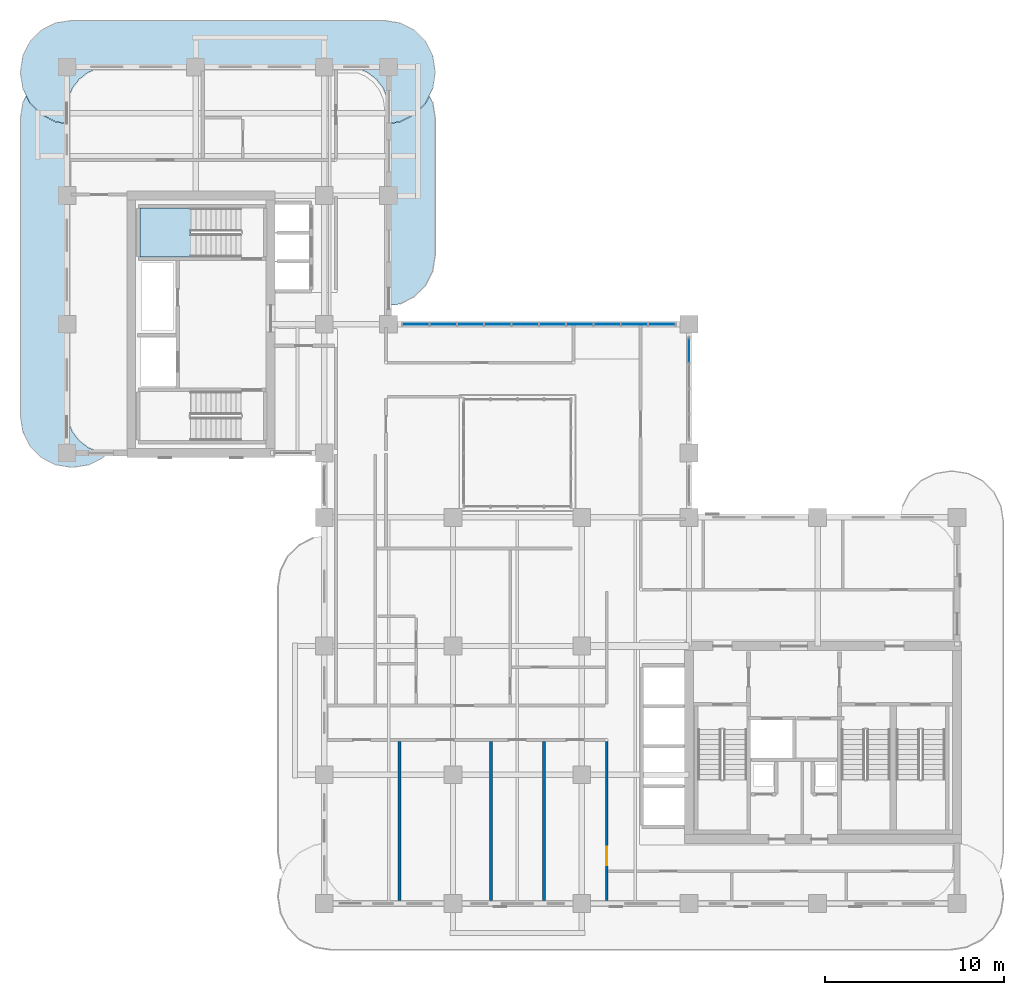
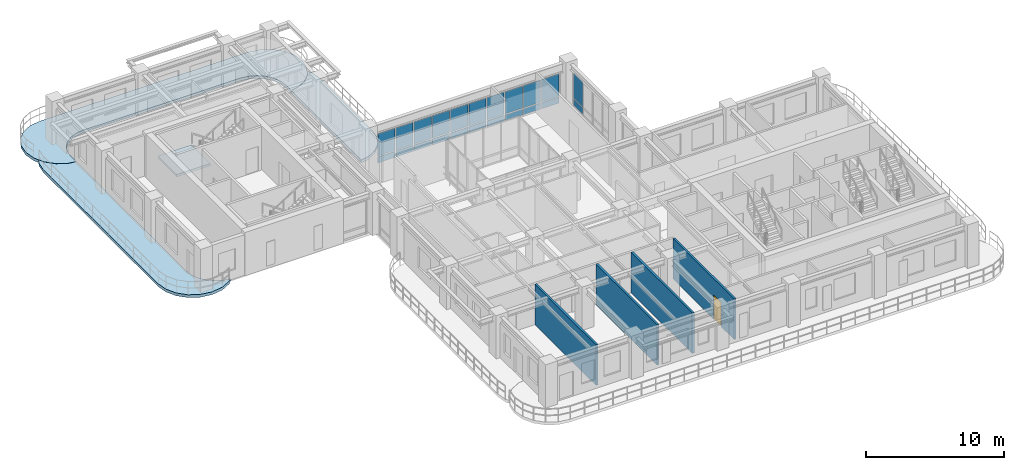
# One storey, part 10 of 20: 22 plates, 4 slabs, 4 walls, 1 door, 1 opening, 3 elements without a shape of their own.
"""IFC4 building model written with IfcOpenShell, lengths in metres."""

from ifc_helpers import new_model, si_unit, derived_unit, direction, frame, frame_2d, origin, origin_2d, place, context, subcontext, project, spatial, polyline, rectangle, outline, extrude, source, transform, mapped, material, layer, layer_set, type_object, type_shapes, element, fill, aggregate, save


model = new_model("IFC4")

# Units and contexts
model_context = context("Model", 3, precision=1e-05, world=origin(), true_north=direction((0.0, 1.0)))
body_context = subcontext(model_context, "Body", "Model", "MODEL_VIEW")
ifc_project = project(units=[si_unit("LENGTHUNIT", "METRE"), si_unit("AREAUNIT", "SQUARE_METRE"), si_unit("VOLUMEUNIT", "CUBIC_METRE"), si_unit("PLANEANGLEUNIT", "RADIAN"), si_unit("MASSUNIT", "GRAM", prefix="KILO"), si_unit("THERMODYNAMICTEMPERATUREUNIT", "KELVIN"), si_unit("POWERUNIT", "WATT"), derived_unit("THERMALTRANSMITTANCEUNIT", [(si_unit("POWERUNIT", "WATT"), 1), (si_unit("AREAUNIT", "SQUARE_METRE"), -1), (si_unit("THERMODYNAMICTEMPERATUREUNIT", "KELVIN"), -1)])], contexts=[model_context])

# Site, building, storey
site_placement = place(None, origin())
site = spatial("IfcSite", under=ifc_project, at=site_placement, CompositionType="ELEMENT")
building_placement = place(site_placement, origin())
building = spatial("IfcBuilding", under=site, at=building_placement, Name="Zahravan Archway Hotel and Residences", CompositionType="ELEMENT")
storey_placement = place(building_placement, frame((0.0, 0.0, 161.85009765625)))
storey = spatial("IfcBuildingStorey", under=building, at=storey_placement, Name="L40", CompositionType="ELEMENT", Elevation=161.85009765625)

# Slabs
ifc_material_1 = material(Name="Concrete C45/55", Category="concrete")
ifc_layer_1 = layer(ifc_material_1, 0.25, Name="Concrete C45/55", Category="concrete")
ifc_layer_set_1 = layer_set([ifc_layer_1], Name="Concrete C45/55")
slab_type_1 = type_object("IfcSlabType", Name="SLB-BALC-250", PredefinedType="FLOOR", material=ifc_layer_set_1)
slab_1_placement = place(storey_placement, frame((0.0, 0.0, -0.25)))
element("IfcSlab", 1, at=slab_1_placement, inside=storey, type_object=slab_type_1, Name="L40 Wing B North Rounded Balcony Band", PredefinedType="FLOOR", context=body_context, shape_type="SweptSolid", body=[
    extrude(outline(polyline([(-0.630615234375, 43.739501953125), (-1.42529296875, 44.144287109375), (-2.0556640625, 44.77490234375), (-2.46044921875, 45.5693359375), (-2.60009765625, 46.449951171875), (-2.60009765625, 46.550048828125), (-2.46044921875, 47.4306640625), (-2.0556640625, 48.22509765625), (-1.42529296875, 48.855712890625), (-0.630615234375, 49.260498046875), (0.25, 49.39990234375), (17.75, 49.39990234375), (18.630615234375, 49.260498046875), (19.42529296875, 48.855712890625), (20.0556640625, 48.22509765625), (20.46044921875, 47.4306640625), (20.60009765625, 46.550048828125), (20.60009765625, 46.449951171875), (20.46044921875, 45.5693359375), (20.0556640625, 44.77490234375), (19.42529296875, 44.144287109375), (18.630615234375, 43.739501953125), (18.02001953125, 43.642822265625), (18.02001953125, 44.39990234375), (18.019775390625, 44.402587890625), (17.93798828125, 45.023681640625), (17.937744140625, 45.025390625), (17.937255859375, 45.027099609375), (17.936767578125, 45.02880859375), (17.697021484375, 45.607666015625), (17.6962890625, 45.609130859375), (17.6953125, 45.610595703125), (17.6943359375, 45.6123046875), (17.31298828125, 46.109375), (17.311767578125, 46.110595703125), (17.310546875, 46.11181640625), (17.309326171875, 46.113037109375), (16.812255859375, 46.494384765625), (16.810791015625, 46.495361328125), (16.80908203125, 46.49609375), (16.8076171875, 46.4970703125), (16.22900390625, 46.73681640625), (16.227294921875, 46.7373046875), (16.2255859375, 46.73779296875), (16.223876953125, 46.738037109375), (15.6025390625, 46.81982421875), (15.60009765625, 46.820068359375), (2.39990234375, 46.820068359375), (2.3974609375, 46.81982421875), (1.776123046875, 46.738037109375), (1.7744140625, 46.73779296875), (1.772705078125, 46.7373046875), (1.77099609375, 46.73681640625), (1.1923828125, 46.4970703125), (1.19091796875, 46.49609375), (1.189208984375, 46.495361328125), (1.187744140625, 46.494384765625), (0.690673828125, 46.113037109375), (0.689453125, 46.11181640625), (0.688232421875, 46.110595703125), (0.68701171875, 46.109375), (0.3056640625, 45.6123046875), (0.3046875, 45.610595703125), (0.3037109375, 45.609130859375), (0.302978515625, 45.607666015625), (0.063232421875, 45.02880859375), (0.062744140625, 45.027099609375), (0.062255859375, 45.025390625), (0.06201171875, 45.023681640625), (-0.019775390625, 44.402587890625), (-0.02001953125, 44.39990234375), (-0.02001953125, 43.642822265625), (-0.630615234375, 43.739501953125)])), origin(), (0.0, 0.0, 1.0), 0.25),
])
slab_2_placement = place(storey_placement, frame((0.0, 0.0, -0.25)))
element("IfcSlab", 2, at=slab_2_placement, inside=storey, type_object=slab_type_1, Name="L40 Wing B West Rounded Balcony Band", PredefinedType="FLOOR", context=body_context, shape_type="SweptSolid", body=[
    extrude(outline(polyline([(2.025146484375, 24.9443359375), (1.230712890625, 24.53955078125), (0.35009765625, 24.39990234375), (0.25, 24.39990234375), (-0.630615234375, 24.53955078125), (-1.42529296875, 24.9443359375), (-2.0556640625, 25.57470703125), (-2.46044921875, 26.369384765625), (-2.60009765625, 27.25), (-2.60009765625, 43.949951171875), (-2.46044921875, 44.830810546875), (-2.28369140625, 45.177978515625), (-2.073486328125, 44.765625), (-2.072509765625, 44.763916015625), (-2.0712890625, 44.76220703125), (-2.06982421875, 44.7607421875), (-1.439208984375, 44.130126953125), (-1.437744140625, 44.12890625), (-1.43603515625, 44.12744140625), (-1.434326171875, 44.12646484375), (-0.639892578125, 43.7216796875), (-0.637939453125, 43.720703125), (-0.635986328125, 43.72021484375), (-0.6337890625, 43.7197265625), (-0.023193359375, 43.623046875), (-0.021240234375, 43.622802734375), (-0.02001953125, 43.622802734375), (-0.02001953125, 27.60009765625), (-0.019775390625, 27.597412109375), (0.06201171875, 26.976318359375), (0.062255859375, 26.974609375), (0.062744140625, 26.972900390625), (0.063232421875, 26.97119140625), (0.302978515625, 26.392333984375), (0.3037109375, 26.390869140625), (0.3046875, 26.389404296875), (0.3056640625, 26.3876953125), (0.68701171875, 25.890625), (0.688232421875, 25.889404296875), (0.689453125, 25.88818359375), (0.690673828125, 25.886962890625), (1.187744140625, 25.505615234375), (1.189208984375, 25.504638671875), (1.19091796875, 25.50390625), (1.1923828125, 25.5029296875), (1.77099609375, 25.26318359375), (1.772705078125, 25.2626953125), (1.7744140625, 25.26220703125), (1.776123046875, 25.261962890625), (2.27685546875, 25.196044921875), (2.025146484375, 24.9443359375)])), origin(), (0.0, 0.0, 1.0), 0.25),
])
slab_3_placement = place(storey_placement, frame((0.0, 0.0, -0.25)))
element("IfcSlab", 3, at=slab_3_placement, inside=storey, type_object=slab_type_1, Name="L40 Wing B East Rounded Balcony Band", PredefinedType="FLOOR", context=body_context, shape_type="SweptSolid", body=[
    extrude(outline(polyline([(20.46044921875, 44.830810546875), (20.60009765625, 43.949951171875), (20.60009765625, 36.25), (20.46044921875, 35.369384765625), (20.0556640625, 34.57470703125), (19.42529296875, 33.9443359375), (18.630615234375, 33.53955078125), (18.02001953125, 33.44287109375), (18.02001953125, 43.622802734375), (18.021240234375, 43.622802734375), (18.023193359375, 43.623046875), (18.6337890625, 43.7197265625), (18.635986328125, 43.72021484375), (18.637939453125, 43.720703125), (18.639892578125, 43.7216796875), (19.434326171875, 44.12646484375), (19.43603515625, 44.12744140625), (19.437744140625, 44.12890625), (19.439208984375, 44.130126953125), (20.06982421875, 44.7607421875), (20.0712890625, 44.76220703125), (20.072509765625, 44.763916015625), (20.073486328125, 44.765625), (20.28369140625, 45.177978515625), (20.46044921875, 44.830810546875)])), origin(), (0.0, 0.0, 1.0), 0.25),
])

# Stair, slab
ifc_material_2 = material(Name="Concrete C50/60", Category="concrete")
stair_type = type_object("IfcStairType", Name="STR-CORE-1300", PredefinedType="HALF_TURN_STAIR", material=ifc_material_2)
stair_placement = place(storey_placement, origin())
stair = element("IfcStair", 4, at=stair_placement, inside=storey, type_object=stair_type, Name="L40 Core B Exit Stair 2", PredefinedType="HALF_TURN_STAIR")
ifc_layer_2 = layer(ifc_material_2, 0.199951171875, Name="Concrete C50/60", Category="concrete")
ifc_layer_set_2 = layer_set([ifc_layer_2], Name="Concrete C50/60")
slab_type_2 = type_object("IfcSlabType", Name="SLB-LND-200", PredefinedType="LANDING", material=ifc_layer_set_2)
slab_4_placement = place(storey_placement, frame((0.0, 0.0, 1.724853515625)))
slab_4 = element("IfcSlab", 5, at=slab_4_placement, type_object=slab_type_2, Name="ST-B2 landing 1", PredefinedType="LANDING", context=body_context, shape_type="SweptSolid", body=[
    extrude(outline(polyline([(6.929931640625, 38.89990234375), (4.10009765625, 38.89990234375), (4.10009765625, 36.159912109375), (6.929931640625, 36.159912109375), (6.929931640625, 38.89990234375)])), origin(), (0.0, 0.0, 1.0), 0.199951171875),
])
aggregate(stair, [slab_4])

# Curtain wall, plates
ifc_material_3 = material(Name="Bronze-Anodized Unitised Aluminium & Low-E Glass", Category="aluminium")
ifc_layer_3 = layer(ifc_material_3, 0.179931640625, Name="Bronze-Anodized Unitised Aluminium & Low-E Glass", Category="aluminium")
ifc_layer_set_3 = layer_set([ifc_layer_3], Name="Bronze-Anodized Unitised Aluminium & Low-E Glass")
curtain_wall_type = type_object("IfcCurtainWallType", Name="CW-TWR-FEAT", PredefinedType="NOTDEFINED", material=ifc_layer_set_3)
curtain_wall_1_placement = place(storey_placement, origin())
curtain_wall_1 = element("IfcCurtainWall", 6, at=curtain_wall_1_placement, inside=storey, type_object=curtain_wall_type, Name="L40 Curtain Wall CW-L40-HNG-N-1", PredefinedType="NOTDEFINED")
ifc_material_4 = material(Name="Insulated Terracotta Spandrel Panel", Category="masonry")
ifc_layer_4 = layer(ifc_material_4, 0.0400390625, Name="Insulated Terracotta Spandrel Panel", Category="masonry")
ifc_layer_set_4 = layer_set([ifc_layer_4], Name="Insulated Terracotta Spandrel Panel")
plate_type_1 = type_object("IfcPlateType", Name="CWP-SPN-40", PredefinedType="SHEET", material=ifc_layer_set_4)
shared_shape_1 = source(origin(), body_context, "Body", "SweptSolid", [
    extrude(rectangle(XDim=1.447998046875, YDim=0.0400390625, at=origin_2d()), origin(), (0.0, 0.0, 1.0), 0.5283203125),
])
plate_1_placement = place(storey_placement, frame((19.52392578125, 32.39990234375, 0.099853515625), z_axis=(0.0, 0.0, 1.0), x_axis=(1.0, 0.0, 0.0)))
plate_1 = element("IfcPlate", 7, at=plate_1_placement, type_object=plate_type_1, Name="CW-L40-HNG-N-1 Spandrel Panel 0", PredefinedType="SHEET", context=body_context, shape_type="MappedRepresentation", body=[
    mapped(shared_shape_1, transform((0.0, 0.0, 0.0), scale=1.0)),
])
plate_2_placement = place(storey_placement, frame((21.052001953125, 32.39990234375, 0.099853515625), z_axis=(0.0, 0.0, 1.0), x_axis=(1.0, 0.0, 0.0)))
plate_2 = element("IfcPlate", 8, at=plate_2_placement, type_object=plate_type_1, Name="CW-L40-HNG-N-1 Spandrel Panel 1", PredefinedType="SHEET", context=body_context, shape_type="MappedRepresentation", body=[
    mapped(shared_shape_1, transform((0.0, 0.0, 0.0), scale=1.0)),
])
plate_3_placement = place(storey_placement, frame((22.580078125, 32.39990234375, 0.099853515625), z_axis=(0.0, 0.0, 1.0), x_axis=(1.0, 0.0, 0.0)))
plate_3 = element("IfcPlate", 9, at=plate_3_placement, type_object=plate_type_1, Name="CW-L40-HNG-N-1 Spandrel Panel 2", PredefinedType="SHEET", context=body_context, shape_type="MappedRepresentation", body=[
    mapped(shared_shape_1, transform((0.0, 0.0, 0.0), scale=1.0)),
])
plate_4_placement = place(storey_placement, frame((24.10791015625, 32.39990234375, 0.099853515625), z_axis=(0.0, 0.0, 1.0), x_axis=(1.0, 0.0, 0.0)))
plate_4 = element("IfcPlate", 10, at=plate_4_placement, type_object=plate_type_1, Name="CW-L40-HNG-N-1 Spandrel Panel 3", PredefinedType="SHEET", context=body_context, shape_type="MappedRepresentation", body=[
    mapped(shared_shape_1, transform((0.0, 0.0, 0.0), scale=1.0)),
])
plate_5_placement = place(storey_placement, frame((25.635986328125, 32.39990234375, 0.099853515625), z_axis=(0.0, 0.0, 1.0), x_axis=(1.0, 0.0, 0.0)))
plate_5 = element("IfcPlate", 11, at=plate_5_placement, type_object=plate_type_1, Name="CW-L40-HNG-N-1 Spandrel Panel 4", PredefinedType="SHEET", context=body_context, shape_type="MappedRepresentation", body=[
    mapped(shared_shape_1, transform((0.0, 0.0, 0.0), scale=1.0)),
])
plate_6_placement = place(storey_placement, frame((27.1640625, 32.39990234375, 0.099853515625), z_axis=(0.0, 0.0, 1.0), x_axis=(1.0, 0.0, 0.0)))
plate_6 = element("IfcPlate", 12, at=plate_6_placement, type_object=plate_type_1, Name="CW-L40-HNG-N-1 Spandrel Panel 5", PredefinedType="SHEET", context=body_context, shape_type="MappedRepresentation", body=[
    mapped(shared_shape_1, transform((0.0, 0.0, 0.0), scale=1.0)),
])
plate_7_placement = place(storey_placement, frame((28.69189453125, 32.39990234375, 0.099853515625), z_axis=(0.0, 0.0, 1.0), x_axis=(1.0, 0.0, 0.0)))
plate_7 = element("IfcPlate", 13, at=plate_7_placement, type_object=plate_type_1, Name="CW-L40-HNG-N-1 Spandrel Panel 6", PredefinedType="SHEET", context=body_context, shape_type="MappedRepresentation", body=[
    mapped(shared_shape_1, transform((0.0, 0.0, 0.0), scale=1.0)),
])
plate_8_placement = place(storey_placement, frame((30.219970703125, 32.39990234375, 0.099853515625), z_axis=(0.0, 0.0, 1.0), x_axis=(1.0, 0.0, 0.0)))
plate_8 = element("IfcPlate", 14, at=plate_8_placement, type_object=plate_type_1, Name="CW-L40-HNG-N-1 Spandrel Panel 7", PredefinedType="SHEET", context=body_context, shape_type="MappedRepresentation", body=[
    mapped(shared_shape_1, transform((0.0, 0.0, 0.0), scale=1.0)),
])
plate_9_placement = place(storey_placement, frame((31.748046875, 32.39990234375, 0.099853515625), z_axis=(0.0, 0.0, 1.0), x_axis=(1.0, 0.0, 0.0)))
plate_9 = element("IfcPlate", 15, at=plate_9_placement, type_object=plate_type_1, Name="CW-L40-HNG-N-1 Spandrel Panel 8", PredefinedType="SHEET", context=body_context, shape_type="MappedRepresentation", body=[
    mapped(shared_shape_1, transform((0.0, 0.0, 0.0), scale=1.0)),
])
plate_10_placement = place(storey_placement, frame((33.27587890625, 32.39990234375, 0.099853515625), z_axis=(0.0, 0.0, 1.0), x_axis=(1.0, 0.0, 0.0)))
plate_10 = element("IfcPlate", 16, at=plate_10_placement, type_object=plate_type_1, Name="CW-L40-HNG-N-1 Spandrel Panel 9", PredefinedType="SHEET", context=body_context, shape_type="MappedRepresentation", body=[
    mapped(shared_shape_1, transform((0.0, 0.0, 0.0), scale=1.0)),
])
ifc_material_5 = material(Name="Double-Silver Low-E Insulated Vision Glass", Category="glass")
ifc_layer_5 = layer(ifc_material_5, 0.028076171875, Name="Double-Silver Low-E Insulated Vision Glass", Category="glass")
ifc_layer_set_5 = layer_set([ifc_layer_5], Name="Double-Silver Low-E Insulated Vision Glass")
plate_type_2 = type_object("IfcPlateType", Name="CWP-GLZ-28", PredefinedType="CURTAIN_PANEL", material=ifc_layer_set_5)
shared_shape_2 = source(origin(), body_context, "Body", "SweptSolid", [
    extrude(rectangle(XDim=1.447998046875, YDim=0.028076171875, at=origin_2d()), origin(), (0.0, 0.0, 1.0), 1.9765625),
])
plate_11_placement = place(storey_placement, frame((19.52392578125, 32.39990234375, 0.708251953125), z_axis=(0.0, 0.0, 1.0), x_axis=(1.0, 0.0, 0.0)))
plate_11 = element("IfcPlate", 17, at=plate_11_placement, type_object=plate_type_2, Name="CW-L40-HNG-N-1 Low-E Vision Panel 0", PredefinedType="CURTAIN_PANEL", context=body_context, shape_type="MappedRepresentation", body=[
    mapped(shared_shape_2, transform((0.0, 0.0, 0.0), scale=1.0)),
])
plate_12_placement = place(storey_placement, frame((21.052001953125, 32.39990234375, 0.708251953125), z_axis=(0.0, 0.0, 1.0), x_axis=(1.0, 0.0, 0.0)))
plate_12 = element("IfcPlate", 18, at=plate_12_placement, type_object=plate_type_2, Name="CW-L40-HNG-N-1 Low-E Vision Panel 1", PredefinedType="CURTAIN_PANEL", context=body_context, shape_type="MappedRepresentation", body=[
    mapped(shared_shape_2, transform((0.0, 0.0, 0.0), scale=1.0)),
])
plate_13_placement = place(storey_placement, frame((22.580078125, 32.39990234375, 0.708251953125), z_axis=(0.0, 0.0, 1.0), x_axis=(1.0, 0.0, 0.0)))
plate_13 = element("IfcPlate", 19, at=plate_13_placement, type_object=plate_type_2, Name="CW-L40-HNG-N-1 Low-E Vision Panel 2", PredefinedType="CURTAIN_PANEL", context=body_context, shape_type="MappedRepresentation", body=[
    mapped(shared_shape_2, transform((0.0, 0.0, 0.0), scale=1.0)),
])
plate_14_placement = place(storey_placement, frame((24.10791015625, 32.39990234375, 0.708251953125), z_axis=(0.0, 0.0, 1.0), x_axis=(1.0, 0.0, 0.0)))
plate_14 = element("IfcPlate", 20, at=plate_14_placement, type_object=plate_type_2, Name="CW-L40-HNG-N-1 Low-E Vision Panel 3", PredefinedType="CURTAIN_PANEL", context=body_context, shape_type="MappedRepresentation", body=[
    mapped(shared_shape_2, transform((0.0, 0.0, 0.0), scale=1.0)),
])
plate_15_placement = place(storey_placement, frame((25.635986328125, 32.39990234375, 0.708251953125), z_axis=(0.0, 0.0, 1.0), x_axis=(1.0, 0.0, 0.0)))
plate_15 = element("IfcPlate", 21, at=plate_15_placement, type_object=plate_type_2, Name="CW-L40-HNG-N-1 Low-E Vision Panel 4", PredefinedType="CURTAIN_PANEL", context=body_context, shape_type="MappedRepresentation", body=[
    mapped(shared_shape_2, transform((0.0, 0.0, 0.0), scale=1.0)),
])
plate_16_placement = place(storey_placement, frame((27.1640625, 32.39990234375, 0.708251953125), z_axis=(0.0, 0.0, 1.0), x_axis=(1.0, 0.0, 0.0)))
plate_16 = element("IfcPlate", 22, at=plate_16_placement, type_object=plate_type_2, Name="CW-L40-HNG-N-1 Low-E Vision Panel 5", PredefinedType="CURTAIN_PANEL", context=body_context, shape_type="MappedRepresentation", body=[
    mapped(shared_shape_2, transform((0.0, 0.0, 0.0), scale=1.0)),
])
plate_17_placement = place(storey_placement, frame((28.69189453125, 32.39990234375, 0.708251953125), z_axis=(0.0, 0.0, 1.0), x_axis=(1.0, 0.0, 0.0)))
plate_17 = element("IfcPlate", 23, at=plate_17_placement, type_object=plate_type_2, Name="CW-L40-HNG-N-1 Low-E Vision Panel 6", PredefinedType="CURTAIN_PANEL", context=body_context, shape_type="MappedRepresentation", body=[
    mapped(shared_shape_2, transform((0.0, 0.0, 0.0), scale=1.0)),
])
plate_18_placement = place(storey_placement, frame((30.219970703125, 32.39990234375, 0.708251953125), z_axis=(0.0, 0.0, 1.0), x_axis=(1.0, 0.0, 0.0)))
plate_18 = element("IfcPlate", 24, at=plate_18_placement, type_object=plate_type_2, Name="CW-L40-HNG-N-1 Low-E Vision Panel 7", PredefinedType="CURTAIN_PANEL", context=body_context, shape_type="MappedRepresentation", body=[
    mapped(shared_shape_2, transform((0.0, 0.0, 0.0), scale=1.0)),
])
plate_19_placement = place(storey_placement, frame((31.748046875, 32.39990234375, 0.708251953125), z_axis=(0.0, 0.0, 1.0), x_axis=(1.0, 0.0, 0.0)))
plate_19 = element("IfcPlate", 25, at=plate_19_placement, type_object=plate_type_2, Name="CW-L40-HNG-N-1 Low-E Vision Panel 8", PredefinedType="CURTAIN_PANEL", context=body_context, shape_type="MappedRepresentation", body=[
    mapped(shared_shape_2, transform((0.0, 0.0, 0.0), scale=1.0)),
])
plate_20_placement = place(storey_placement, frame((33.27587890625, 32.39990234375, 0.708251953125), z_axis=(0.0, 0.0, 1.0), x_axis=(1.0, 0.0, 0.0)))
plate_20 = element("IfcPlate", 26, at=plate_20_placement, type_object=plate_type_2, Name="CW-L40-HNG-N-1 Low-E Vision Panel 9", PredefinedType="CURTAIN_PANEL", context=body_context, shape_type="MappedRepresentation", body=[
    mapped(shared_shape_2, transform((0.0, 0.0, 0.0), scale=1.0)),
])
aggregate(curtain_wall_1, [plate_1, plate_11, plate_2, plate_12, plate_3, plate_13, plate_4, plate_14, plate_5, plate_15, plate_6, plate_16, plate_7, plate_17, plate_8, plate_18, plate_9, plate_19, plate_10, plate_20])

curtain_wall_2_placement = place(storey_placement, origin())
curtain_wall_2 = element("IfcCurtainWall", 27, at=curtain_wall_2_placement, inside=storey, type_object=curtain_wall_type, Name="L40 Curtain Wall CW-L40-HNG-E-2", PredefinedType="NOTDEFINED")
shared_shape_3 = source(origin(), body_context, "Body", "SweptSolid", [
    extrude(rectangle(XDim=1.340087890625, YDim=0.0400390625, at=origin_2d()), origin(), (0.0, 0.0, 1.0), 0.600341796875),
])
plate_21_placement = place(storey_placement, frame((34.800048828125, 30.929931640625, 0.10009765625), z_axis=(0.0, 0.0, 1.0), x_axis=(0.0, 1.0, 0.0)))
plate_21 = element("IfcPlate", 28, at=plate_21_placement, type_object=plate_type_1, Name="CW-L40-HNG-E-2 Spandrel Panel 3", PredefinedType="SHEET", context=body_context, shape_type="MappedRepresentation", body=[
    mapped(shared_shape_3, transform((0.0, 0.0, 0.0), scale=1.0)),
])
shared_shape_4 = source(origin(), body_context, "Body", "SweptSolid", [
    extrude(rectangle(XDim=1.340087890625, YDim=0.028076171875, at=origin_2d()), origin(), (0.0, 0.0, 1.0), 2.20458984375),
])
plate_22_placement = place(storey_placement, frame((34.800048828125, 30.929931640625, 0.7802734375), z_axis=(0.0, 0.0, 1.0), x_axis=(0.0, 1.0, 0.0)))
plate_22 = element("IfcPlate", 29, at=plate_22_placement, type_object=plate_type_2, Name="CW-L40-HNG-E-2 Low-E Vision Panel 3", PredefinedType="CURTAIN_PANEL", context=body_context, shape_type="MappedRepresentation", body=[
    mapped(shared_shape_4, transform((0.0, 0.0, 0.0), scale=1.0)),
])
aggregate(curtain_wall_2, [plate_21, plate_22])

# Wall, opening, door
ifc_material_6 = material(Name="Fire-Rated Gypsum & Concrete Block", Category="concrete")
ifc_layer_6 = layer(ifc_material_6, 0.159912109375, Name="Fire-Rated Gypsum & Concrete Block", Category="concrete")
ifc_layer_set_6 = layer_set([ifc_layer_6], Name="Fire-Rated Gypsum & Concrete Block")
wall_type_1 = type_object("IfcWallType", Name="PW-CORR-160", PredefinedType="PARTITIONING", material=ifc_layer_set_6)
wall_placement = place(storey_placement, frame((30.199951171875, 0.16796875, 0.0), z_axis=(0.0, 0.0, 1.0), x_axis=(0.0, 1.0, 0.0)))
wall = element("IfcWall", 30, at=wall_placement, inside=storey, type_object=wall_type_1, Name="L40 Partition WA-SRW", PredefinedType="PARTITIONING", context=body_context, shape_type="SweptSolid", body=[
    extrude(rectangle(XDim=8.89208984375, YDim=0.159912109375, at=frame_2d((4.446044921875, 0.0))), origin(), (0.0, 0.0, 1.0), 3.599853515625),
])
opening_placement = place(wall_placement, frame((1.95703125, 0.0, 0.0)))
opening = element("IfcOpeningElement", 31, at=opening_placement, cuts=wall, Name="Opening FD-L2", PredefinedType="OPENING", context=body_context, shape_type="SweptSolid", body=[
    extrude(rectangle(XDim=1.050048828125, YDim=2.14990234375, at=frame_2d((0.52490234375, 1.074951171875))), frame((0.0, 0.08984375, 0.0), z_axis=(0.0, -1.0, 0.0), x_axis=(1.0, 0.0, 0.0)), (0.0, 0.0, 1.0), 0.179931640625),
])
ifc_material_7 = material(Name="Fire-Rated Painted Steel", Category="steel")
door_type = type_object("IfcDoorType", Name="FD-LOBBY-1100", OperationType="NOTDEFINED", PredefinedType="DOOR", material=ifc_material_7)
shared_shape_5 = source(origin(), body_context, "Body", "SweptSolid", [
    extrude(rectangle(XDim=1.050048828125, YDim=2.14990234375, at=frame_2d((0.52490234375, 1.074951171875))), frame((0.0, 0.02490234375, 0.0), z_axis=(0.0, -1.0, 0.0), x_axis=(1.0, 0.0, 0.0)), (0.0, 0.0, 1.0), 0.050048828125),
])
type_shapes(door_type, [shared_shape_5])
door_placement = place(opening_placement, origin())
door = element("IfcDoor", 32, at=door_placement, inside=storey, type_object=door_type, Name="L40 South Riser Corridor Door", OperationType="SINGLE_SWING_RIGHT", OverallHeight=2.14990234375, OverallWidth=1.050048828125, PredefinedType="DOOR", context=body_context, shape_type="MappedRepresentation", body=[
    mapped(shared_shape_5, transform((0.0, 0.0, 0.0), scale=1.0)),
])
fill(opening, door)

# Walls
ifc_material_8 = material(Name="Acoustic Stud Partition")
ifc_layer_7 = layer(ifc_material_8, 0.169921875, Name="Acoustic Stud Partition")
ifc_layer_set_7 = layer_set([ifc_layer_7], Name="Acoustic Stud Partition")
wall_type_2 = type_object("IfcWallType", Name="PW-UNIT-170", PredefinedType="PARTITIONING", material=ifc_layer_set_7)
for number, where, z_axis, x_axis, name in (
    (33, (18.60009765625, 0.16796875, 0.0), (0.0, 0.0, 1.0), (0.0, 1.0, 0.0), "L40 Partition WAS-DA2-1"),
    (34, (23.719970703125, 0.16796875, 0.0), (0.0, 0.0, 1.0), (0.0, 1.0, 0.0), "L40 Partition WAS-DA2-2"),
    (35, (26.679931640625, 0.16796875, 0.0), (0.0, 0.0, 1.0), (0.0, 1.0, 0.0), "L40 Partition WAS-DA2-3"),
):
    element("IfcWall", number, at=place(storey_placement, frame(where, z_axis=z_axis, x_axis=x_axis)), inside=storey, type_object=wall_type_2, Name=name, PredefinedType="PARTITIONING", context=body_context, shape_type="SweptSolid", body=[
        extrude(rectangle(XDim=8.89208984375, YDim=0.169921875, at=frame_2d((4.446044921875, 0.0))), origin(), (0.0, 0.0, 1.0), 3.599853515625),
    ])

save(model, "model.ifc")
